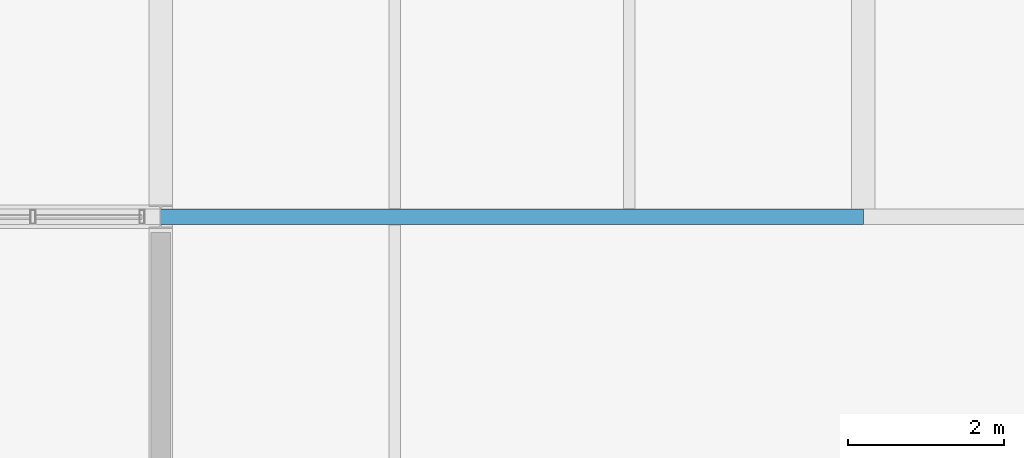
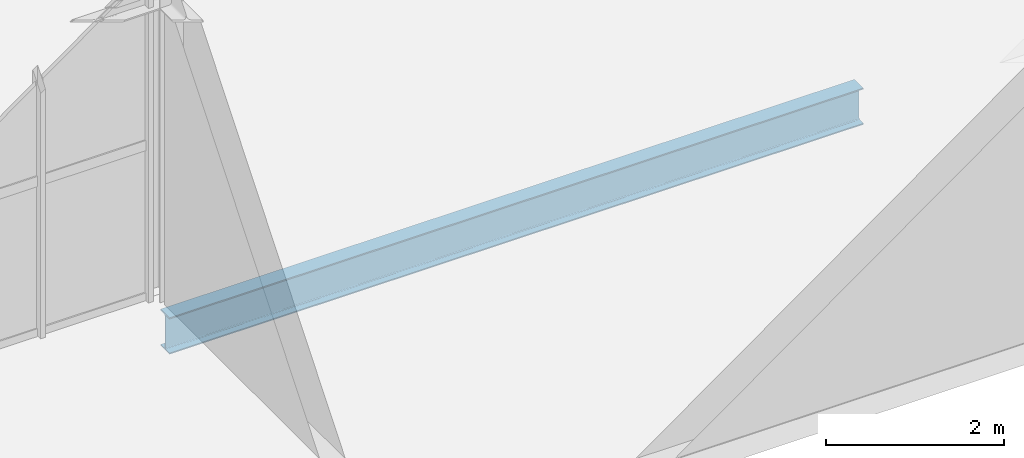
# One storey, part 70 of 152: 1 beam.
"""IFC4 building model written with IfcOpenShell, lengths in metres."""

import ifcopenshell
import ifcopenshell.guid

model = None  # the IFC model being written
_history = None  # IfcOwnerHistory: only IFC2X3 demands one
_inside = {}  # id of a spatial element -> (the spatial element, [elements in it])
_under = {}  # id of a project, library or spatial element -> (it, [spatial elements below it])
_declared = {}  # id of a project -> (the project, [libraries it declares])
_typed = {}  # id of a type object -> (the type object, [elements of that type])
_made_of = {}  # id of a material, layer set ... -> (it, [elements and type objects made of it])


def new_model(schema):
    """Start an empty IFC model of exactly this schema.

    Asked for "IFC4X3", IfcOpenShell would pick the latest addendum, in which some entities
    have other attributes; the version numbers below select the first issue.
    IFC2X3 requires an IfcOwnerHistory on every rooted entity: one is made here for all.
    """
    global model, _history
    if schema == "IFC4X3":
        model = ifcopenshell.file(schema_version=(4, 3, 0, 0))
    else:
        model = ifcopenshell.file(schema=schema)
    _inside.clear()
    _under.clear()
    _declared.clear()
    _typed.clear()
    _made_of.clear()
    _history = None
    if model.schema == "IFC2X3":
        org = make("IfcOrganization", Name="unknown")
        user = make(
            "IfcPersonAndOrganization",
            ThePerson=make("IfcPerson", FamilyName="unknown"),
            TheOrganization=org,
        )
        app = make(
            "IfcApplication",
            ApplicationDeveloper=org,
            Version="unknown",
            ApplicationFullName="unknown",
            ApplicationIdentifier="unknown",
        )
        _history = make(
            "IfcOwnerHistory",
            OwningUser=user,
            OwningApplication=app,
            ChangeAction="ADDED",
            CreationDate=0,
        )
    return model


def make(cls, **values):
    """One entity of the class cls with the attributes given. An attribute that is None is left unset."""
    return model.create_entity(
        cls, **{name: value for name, value in values.items() if value is not None}
    )


def rooted(cls, **values):
    """An entity with a GlobalId (a new one), such as an element, a storey or a relation."""
    return make(cls, GlobalId=ifcopenshell.guid.new(), OwnerHistory=_history, **values)


def si_unit(unit_type, name, prefix=None):
    """IfcSIUnit, for example si_unit("LENGTHUNIT", "METRE", prefix="MILLI")."""
    return make("IfcSIUnit", UnitType=unit_type, Prefix=prefix, Name=name)


def derived_unit(unit_type, elements):
    """IfcDerivedUnit: a product of units, each with its exponent."""
    return make(
        "IfcDerivedUnit",
        Elements=[
            make("IfcDerivedUnitElement", Unit=unit, Exponent=power)
            for unit, power in elements
        ],
        UnitType=unit_type,
    )


def assignment(units):
    """IfcUnitAssignment: the units of a project."""
    return None if units is None else make("IfcUnitAssignment", Units=units)


def point(xyz):
    """IfcCartesianPoint."""
    return None if xyz is None else make("IfcCartesianPoint", Coordinates=xyz)


def direction(xyz):
    """IfcDirection."""
    return None if xyz is None else make("IfcDirection", DirectionRatios=xyz)


def frame(location, z_axis=None, x_axis=None):
    """IfcAxis2Placement3D, a coordinate frame: its origin and axes. An axis left out is left unset."""
    return make(
        "IfcAxis2Placement3D",
        Location=point(location),
        Axis=direction(z_axis),
        RefDirection=direction(x_axis),
    )


def frame_2d(location, x_axis=None):
    """IfcAxis2Placement2D, a coordinate frame in the plane: its origin and x axis."""
    return make(
        "IfcAxis2Placement2D", Location=point(location), RefDirection=direction(x_axis)
    )


def origin():
    """The frame at (0, 0, 0) with its axes left unset."""
    return frame((0.0, 0.0, 0.0))


def origin_2d():
    """The frame at (0, 0) in the plane with its x axis left unset."""
    return frame_2d((0.0, 0.0))


def place(relative_to, where):
    """IfcLocalPlacement: puts the frame where relative to a parent placement (None: the world)."""
    return make(
        "IfcLocalPlacement", PlacementRelTo=relative_to, RelativePlacement=where
    )


def context(
    kind, dimensions, precision=None, world=None, true_north=None, identifier=None
):
    """IfcGeometricRepresentationContext, for example the 3D "Model" context."""
    return make(
        "IfcGeometricRepresentationContext",
        ContextIdentifier=identifier,
        ContextType=kind,
        CoordinateSpaceDimension=dimensions,
        Precision=precision,
        WorldCoordinateSystem=world,
        TrueNorth=true_north,
    )


def subcontext(parent, identifier, kind, view, scale=None):
    """IfcGeometricRepresentationSubContext, for example "Body" below "Model"."""
    return make(
        "IfcGeometricRepresentationSubContext",
        ContextIdentifier=identifier,
        ContextType=kind,
        ParentContext=parent,
        TargetScale=scale,
        TargetView=view,
    )


def project(units=None, contexts=None):
    """IfcProject with its units and contexts."""
    return rooted(
        "IfcProject",
        Name="project",
        RepresentationContexts=contexts,
        UnitsInContext=assignment(units),
    )


def spatial(cls, under=None, at=None, **own):
    """A site, building, storey or space (cls), placed at a placement, below another one or the project."""
    s = rooted(cls, ObjectPlacement=at, **own)
    if under is not None:
        _under.setdefault(under.id(), (under, []))[1].append(s)
    return s


def profile(cls, at=None, kind="AREA", **sizes):
    """A parametric profile (cls). Its sizes go by their IFC names, for example OverallWidth=200.0."""
    return make(cls, ProfileType=kind, Position=at, **sizes)


def i_section(**sizes):
    """IfcIShapeProfileDef."""
    return profile("IfcIShapeProfileDef", **sizes)


def extrude(swept, where, along, depth):
    """IfcExtrudedAreaSolid: the profile swept, set in the frame where, extruded along a direction by depth."""
    return make(
        "IfcExtrudedAreaSolid",
        SweptArea=swept,
        Position=where,
        ExtrudedDirection=direction(along),
        Depth=depth,
    )


def shape(context_of_items, identifier, shape_type, items):
    """IfcShapeRepresentation: the items that make up one representation, for example the "Body"."""
    return make(
        "IfcShapeRepresentation",
        ContextOfItems=context_of_items,
        RepresentationIdentifier=identifier,
        RepresentationType=shape_type,
        Items=items,
    )


def material(Name=None, Category=None):
    """IfcMaterial."""
    return make("IfcMaterial", Name=Name, Category=Category)


def material_profile(
    of_material, cross_section, Name=None, Category=None, Priority=None
):
    """IfcMaterialProfile: a cross section and its material."""
    return make(
        "IfcMaterialProfile",
        Name=Name,
        Material=of_material,
        Profile=cross_section,
        Priority=Priority,
        Category=Category,
    )


def profile_set(profiles, Name=None, composite=None):
    """IfcMaterialProfileSet."""
    return make(
        "IfcMaterialProfileSet",
        Name=Name,
        MaterialProfiles=profiles,
        CompositeProfile=composite,
    )


def made_of(thing, what):
    """Note that an element or type object is made of a material, layer set ...; save() writes the relation."""
    if what is not None:
        _made_of.setdefault(what.id(), (what, []))[1].append(thing)
    return thing


def type_object(cls, material=None, **own):
    """A type object (cls), such as IfcWallType, which elements share."""
    return made_of(rooted(cls, **own), material)


def element(
    cls,
    number,
    at=None,
    inside=None,
    cuts=None,
    type_object=None,
    material=None,
    context=None,
    identifier="Body",
    shape_type=None,
    held_by="IfcProductDefinitionShape",
    body=None,
    shapes=None,
    **own,
):
    """One element of the class cls, such as IfcWall. Its Tag is "e" and its number.

    at: its placement. inside: the storey or other place that contains it. cuts: it is an
    opening in that element (IfcRelVoidsElement). A single representation is given by context,
    identifier, shape_type and body (its items); several are given by shapes. held_by: the class
    of the entity that holds the representations. save() writes the other relations.
    """
    e = rooted(cls, Tag="e%d" % number, ObjectPlacement=at, **own)
    if body is not None:
        shapes = [shape(context, identifier, shape_type, body)]
    if shapes is not None:
        e.Representation = make(held_by, Representations=shapes)
    if inside is not None:
        _inside.setdefault(inside.id(), (inside, []))[1].append(e)
    if cuts is not None:
        rooted(
            "IfcRelVoidsElement", RelatingBuildingElement=cuts, RelatedOpeningElement=e
        )
    if type_object is not None:
        _typed.setdefault(type_object.id(), (type_object, []))[1].append(e)
    return made_of(e, material)


def aggregate(whole, parts):
    """IfcRelAggregates: a whole, such as a stair, and the parts it consists of."""
    return rooted("IfcRelAggregates", RelatingObject=whole, RelatedObjects=parts)


def save(model, path):
    """Write the relations noted so far, then the file.

    IfcRelAggregates (storeys below a building ...), IfcRelContainedInSpatialStructure (elements
    in a storey), IfcRelDefinesByType, IfcRelAssociatesMaterial and IfcRelDeclares: one each for
    every whole, place, type object, material and project.
    """
    for whole, parts in _under.values():
        aggregate(whole, parts)
    for where, things in _inside.values():
        rooted(
            "IfcRelContainedInSpatialStructure",
            RelatedElements=things,
            RelatingStructure=where,
        )
    for kind, things in _typed.values():
        rooted("IfcRelDefinesByType", RelatedObjects=things, RelatingType=kind)
    for what, things in _made_of.values():
        rooted("IfcRelAssociatesMaterial", RelatedObjects=things, RelatingMaterial=what)
    for by, libraries in _declared.values():
        rooted("IfcRelDeclares", RelatingContext=by, RelatedDefinitions=libraries)
    model.write(path)


model = new_model("IFC4")

# Units and contexts
model_context = context("Model", 3, precision=1e-05, world=origin(), true_north=direction((0.0, 1.0)))
body_context = subcontext(model_context, "Body", "Model", "MODEL_VIEW")
ifc_project = project(units=[si_unit("LENGTHUNIT", "METRE"), si_unit("AREAUNIT", "SQUARE_METRE"), si_unit("VOLUMEUNIT", "CUBIC_METRE"), si_unit("PLANEANGLEUNIT", "RADIAN"), si_unit("MASSUNIT", "GRAM", prefix="KILO"), si_unit("THERMODYNAMICTEMPERATUREUNIT", "KELVIN"), si_unit("TIMEUNIT", "SECOND"), derived_unit("THERMALTRANSMITTANCEUNIT", [(si_unit("MASSUNIT", "GRAM", prefix="KILO"), 1), (si_unit("THERMODYNAMICTEMPERATUREUNIT", "KELVIN"), -1), (si_unit("TIMEUNIT", "SECOND"), -3)])], contexts=[model_context])

# Site, building, storey
site_placement = place(None, origin())
site = spatial("IfcSite", under=ifc_project, at=site_placement, CompositionType="ELEMENT")
building_placement = place(site_placement, origin())
building = spatial("IfcBuilding", under=site, at=building_placement, Name="Cambertide Market Hall", CompositionType="ELEMENT")
storey_placement = place(building_placement, frame((0.0, 0.0, 5.39990234375)))
storey = spatial("IfcBuildingStorey", under=building, at=storey_placement, Name="L02", CompositionType="ELEMENT", Elevation=5.39990234375)

# Beam
ifc_material = material(Name="Steel S355", Category="steel")
ifc_material_profile = material_profile(ifc_material, i_section(OverallWidth=0.199951171875, OverallDepth=0.5, WebThickness=0.01025390625, FlangeThickness=0.01611328125, FilletRadius=0.02099609375, at=origin_2d()), Name="IPE 500")
ifc_profile_set = profile_set([ifc_material_profile], Name="Steel S355")
beam_type = type_object("IfcBeamType", Name="Steel Girder IPE 500", PredefinedType="BEAM", material=ifc_profile_set)
beam_placement = place(storey_placement, frame((84.0, 106.0, -0.539794921875), z_axis=(1.0, 0.0, 0.0), x_axis=(0.0, 1.0, 0.0)))
element("IfcBeam", 1, at=beam_placement, inside=storey, type_object=beam_type, Name="Level 2 Beam BM-V2X-L02-9-2", PredefinedType="BEAM", context=body_context, shape_type="SweptSolid", body=[
    extrude(i_section(OverallWidth=0.199951171875, OverallDepth=0.5, WebThickness=0.01025390625, FlangeThickness=0.01611328125, FilletRadius=0.02099609375, at=origin_2d()), origin(), (0.0, 0.0, 1.0), 9.0),
])

save(model, "model.ifc")
